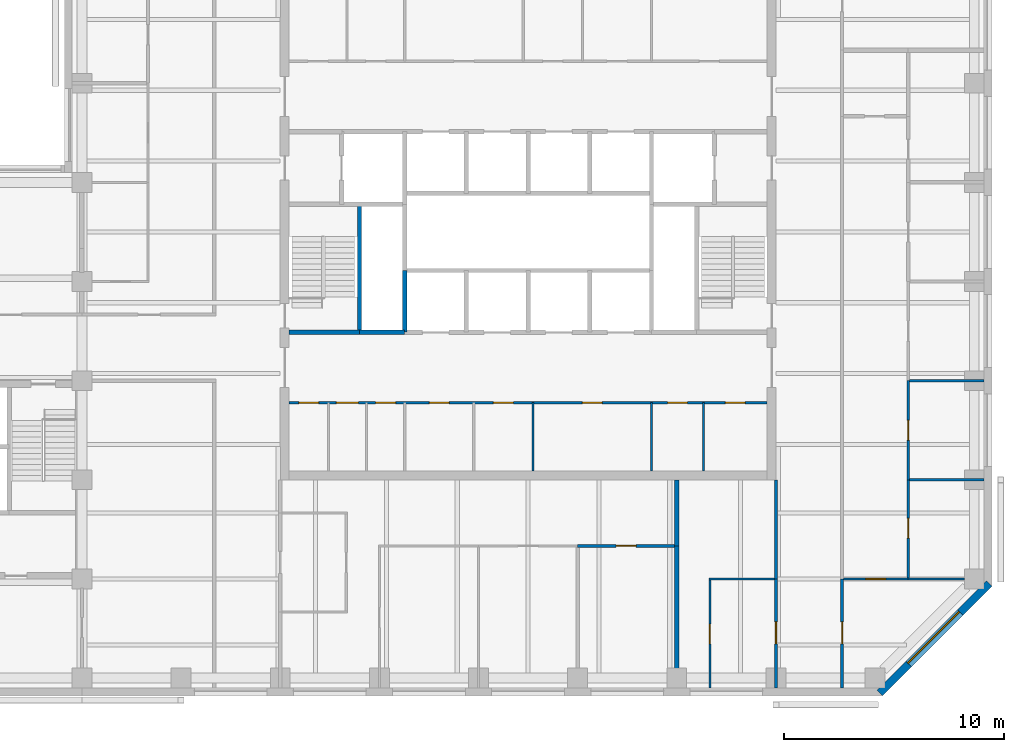
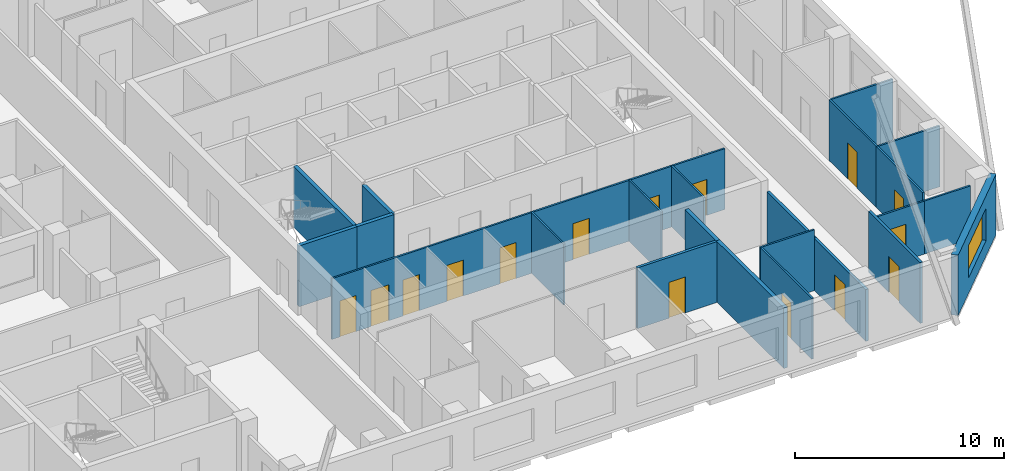
# One storey, part 5 of 10: 23 walls, 15 doors, 1 window, 16 openings.
"""IFC4 building model written with IfcOpenShell, lengths in metres."""

import ifcopenshell
import ifcopenshell.guid

model = None  # the IFC model being written
_history = None  # IfcOwnerHistory: only IFC2X3 demands one
_inside = {}  # id of a spatial element -> (the spatial element, [elements in it])
_under = {}  # id of a project, library or spatial element -> (it, [spatial elements below it])
_declared = {}  # id of a project -> (the project, [libraries it declares])
_typed = {}  # id of a type object -> (the type object, [elements of that type])
_made_of = {}  # id of a material, layer set ... -> (it, [elements and type objects made of it])


def new_model(schema):
    """Start an empty IFC model of exactly this schema.

    Asked for "IFC4X3", IfcOpenShell would pick the latest addendum, in which some entities
    have other attributes; the version numbers below select the first issue.
    IFC2X3 requires an IfcOwnerHistory on every rooted entity: one is made here for all.
    """
    global model, _history
    if schema == "IFC4X3":
        model = ifcopenshell.file(schema_version=(4, 3, 0, 0))
    else:
        model = ifcopenshell.file(schema=schema)
    _inside.clear()
    _under.clear()
    _declared.clear()
    _typed.clear()
    _made_of.clear()
    _history = None
    if model.schema == "IFC2X3":
        org = make("IfcOrganization", Name="unknown")
        user = make(
            "IfcPersonAndOrganization",
            ThePerson=make("IfcPerson", FamilyName="unknown"),
            TheOrganization=org,
        )
        app = make(
            "IfcApplication",
            ApplicationDeveloper=org,
            Version="unknown",
            ApplicationFullName="unknown",
            ApplicationIdentifier="unknown",
        )
        _history = make(
            "IfcOwnerHistory",
            OwningUser=user,
            OwningApplication=app,
            ChangeAction="ADDED",
            CreationDate=0,
        )
    return model


def make(cls, **values):
    """One entity of the class cls with the attributes given. An attribute that is None is left unset."""
    return model.create_entity(
        cls, **{name: value for name, value in values.items() if value is not None}
    )


def rooted(cls, **values):
    """An entity with a GlobalId (a new one), such as an element, a storey or a relation."""
    return make(cls, GlobalId=ifcopenshell.guid.new(), OwnerHistory=_history, **values)


def si_unit(unit_type, name, prefix=None):
    """IfcSIUnit, for example si_unit("LENGTHUNIT", "METRE", prefix="MILLI")."""
    return make("IfcSIUnit", UnitType=unit_type, Prefix=prefix, Name=name)


def assignment(units):
    """IfcUnitAssignment: the units of a project."""
    return None if units is None else make("IfcUnitAssignment", Units=units)


def point(xyz):
    """IfcCartesianPoint."""
    return None if xyz is None else make("IfcCartesianPoint", Coordinates=xyz)


def direction(xyz):
    """IfcDirection."""
    return None if xyz is None else make("IfcDirection", DirectionRatios=xyz)


def frame(location, z_axis=None, x_axis=None):
    """IfcAxis2Placement3D, a coordinate frame: its origin and axes. An axis left out is left unset."""
    return make(
        "IfcAxis2Placement3D",
        Location=point(location),
        Axis=direction(z_axis),
        RefDirection=direction(x_axis),
    )


def frame_2d(location, x_axis=None):
    """IfcAxis2Placement2D, a coordinate frame in the plane: its origin and x axis."""
    return make(
        "IfcAxis2Placement2D", Location=point(location), RefDirection=direction(x_axis)
    )


def origin():
    """The frame at (0, 0, 0) with its axes left unset."""
    return frame((0.0, 0.0, 0.0))


def place(relative_to, where):
    """IfcLocalPlacement: puts the frame where relative to a parent placement (None: the world)."""
    return make(
        "IfcLocalPlacement", PlacementRelTo=relative_to, RelativePlacement=where
    )


def context(
    kind, dimensions, precision=None, world=None, true_north=None, identifier=None
):
    """IfcGeometricRepresentationContext, for example the 3D "Model" context."""
    return make(
        "IfcGeometricRepresentationContext",
        ContextIdentifier=identifier,
        ContextType=kind,
        CoordinateSpaceDimension=dimensions,
        Precision=precision,
        WorldCoordinateSystem=world,
        TrueNorth=true_north,
    )


def subcontext(parent, identifier, kind, view, scale=None):
    """IfcGeometricRepresentationSubContext, for example "Body" below "Model"."""
    return make(
        "IfcGeometricRepresentationSubContext",
        ContextIdentifier=identifier,
        ContextType=kind,
        ParentContext=parent,
        TargetScale=scale,
        TargetView=view,
    )


def project(units=None, contexts=None):
    """IfcProject with its units and contexts."""
    return rooted(
        "IfcProject",
        Name="project",
        RepresentationContexts=contexts,
        UnitsInContext=assignment(units),
    )


def spatial(cls, under=None, at=None, **own):
    """A site, building, storey or space (cls), placed at a placement, below another one or the project."""
    s = rooted(cls, ObjectPlacement=at, **own)
    if under is not None:
        _under.setdefault(under.id(), (under, []))[1].append(s)
    return s


def profile(cls, at=None, kind="AREA", **sizes):
    """A parametric profile (cls). Its sizes go by their IFC names, for example OverallWidth=200.0."""
    return make(cls, ProfileType=kind, Position=at, **sizes)


def rectangle(**sizes):
    """IfcRectangleProfileDef."""
    return profile("IfcRectangleProfileDef", **sizes)


def extrude(swept, where, along, depth):
    """IfcExtrudedAreaSolid: the profile swept, set in the frame where, extruded along a direction by depth."""
    return make(
        "IfcExtrudedAreaSolid",
        SweptArea=swept,
        Position=where,
        ExtrudedDirection=direction(along),
        Depth=depth,
    )


def shape(context_of_items, identifier, shape_type, items):
    """IfcShapeRepresentation: the items that make up one representation, for example the "Body"."""
    return make(
        "IfcShapeRepresentation",
        ContextOfItems=context_of_items,
        RepresentationIdentifier=identifier,
        RepresentationType=shape_type,
        Items=items,
    )


def material(Name=None, Category=None):
    """IfcMaterial."""
    return make("IfcMaterial", Name=Name, Category=Category)


def layer(
    of_material, thickness, ventilated=None, Name=None, Category=None, Priority=None
):
    """IfcMaterialLayer: one layer of a wall or slab, of a material (None: an air gap)."""
    return make(
        "IfcMaterialLayer",
        Material=of_material,
        LayerThickness=thickness,
        IsVentilated=ventilated,
        Name=Name,
        Category=Category,
        Priority=Priority,
    )


def layer_set(layers, Name=None):
    """IfcMaterialLayerSet."""
    return make("IfcMaterialLayerSet", MaterialLayers=layers, LayerSetName=Name)


def constituent(of_material, Name=None, Category=None, fraction=None):
    """IfcMaterialConstituent: one of the materials an element consists of."""
    return make(
        "IfcMaterialConstituent",
        Name=Name,
        Material=of_material,
        Fraction=fraction,
        Category=Category,
    )


def constituent_set(constituents=None, Name=None):
    """IfcMaterialConstituentSet."""
    return make(
        "IfcMaterialConstituentSet", Name=Name, MaterialConstituents=constituents
    )


def made_of(thing, what):
    """Note that an element or type object is made of a material, layer set ...; save() writes the relation."""
    if what is not None:
        _made_of.setdefault(what.id(), (what, []))[1].append(thing)
    return thing


def type_object(cls, material=None, **own):
    """A type object (cls), such as IfcWallType, which elements share."""
    return made_of(rooted(cls, **own), material)


def element(
    cls,
    number,
    at=None,
    inside=None,
    cuts=None,
    type_object=None,
    material=None,
    context=None,
    identifier="Body",
    shape_type=None,
    held_by="IfcProductDefinitionShape",
    body=None,
    shapes=None,
    **own,
):
    """One element of the class cls, such as IfcWall. Its Tag is "e" and its number.

    at: its placement. inside: the storey or other place that contains it. cuts: it is an
    opening in that element (IfcRelVoidsElement). A single representation is given by context,
    identifier, shape_type and body (its items); several are given by shapes. held_by: the class
    of the entity that holds the representations. save() writes the other relations.
    """
    e = rooted(cls, Tag="e%d" % number, ObjectPlacement=at, **own)
    if body is not None:
        shapes = [shape(context, identifier, shape_type, body)]
    if shapes is not None:
        e.Representation = make(held_by, Representations=shapes)
    if inside is not None:
        _inside.setdefault(inside.id(), (inside, []))[1].append(e)
    if cuts is not None:
        rooted(
            "IfcRelVoidsElement", RelatingBuildingElement=cuts, RelatedOpeningElement=e
        )
    if type_object is not None:
        _typed.setdefault(type_object.id(), (type_object, []))[1].append(e)
    return made_of(e, material)


def fill(opening, filler):
    """IfcRelFillsElement: the door or window that sits in an opening."""
    return rooted(
        "IfcRelFillsElement",
        RelatingOpeningElement=opening,
        RelatedBuildingElement=filler,
    )


def aggregate(whole, parts):
    """IfcRelAggregates: a whole, such as a stair, and the parts it consists of."""
    return rooted("IfcRelAggregates", RelatingObject=whole, RelatedObjects=parts)


def save(model, path):
    """Write the relations noted so far, then the file.

    IfcRelAggregates (storeys below a building ...), IfcRelContainedInSpatialStructure (elements
    in a storey), IfcRelDefinesByType, IfcRelAssociatesMaterial and IfcRelDeclares: one each for
    every whole, place, type object, material and project.
    """
    for whole, parts in _under.values():
        aggregate(whole, parts)
    for where, things in _inside.values():
        rooted(
            "IfcRelContainedInSpatialStructure",
            RelatedElements=things,
            RelatingStructure=where,
        )
    for kind, things in _typed.values():
        rooted("IfcRelDefinesByType", RelatedObjects=things, RelatingType=kind)
    for what, things in _made_of.values():
        rooted("IfcRelAssociatesMaterial", RelatedObjects=things, RelatingMaterial=what)
    for by, libraries in _declared.values():
        rooted("IfcRelDeclares", RelatingContext=by, RelatedDefinitions=libraries)
    model.write(path)


model = new_model("IFC4")

# Units and contexts
model_context = context("Model", 3, precision=1e-05, world=origin(), true_north=direction((0.0, 1.0)))
body_context = subcontext(model_context, "Body", "Model", "MODEL_VIEW")
ifc_project = project(units=[si_unit("LENGTHUNIT", "METRE"), si_unit("AREAUNIT", "SQUARE_METRE"), si_unit("VOLUMEUNIT", "CUBIC_METRE"), si_unit("PLANEANGLEUNIT", "RADIAN"), si_unit("MASSUNIT", "GRAM", prefix="KILO")], contexts=[model_context])

# Site, building, storey
site_placement = place(None, origin())
site = spatial("IfcSite", under=ifc_project, at=site_placement, CompositionType="ELEMENT")
building_placement = place(site_placement, origin())
building = spatial("IfcBuilding", under=site, at=building_placement, Name="Quoin Convention Tower", CompositionType="ELEMENT")
storey_placement = place(building_placement, frame((0.0, 0.0, 188.39990234375)))
storey = spatial("IfcBuildingStorey", under=building, at=storey_placement, Name="L49", CompositionType="ELEMENT", Elevation=188.39990234375)

# Wall, opening, door
ifc_material_1 = material(Name="Plasterboard")
ifc_layer_1 = layer(ifc_material_1, 0.012451171875, Name="Finish")
ifc_material_2 = material(Name="Steel stud framing", Category="steel")
ifc_layer_2 = layer(ifc_material_2, 0.125, Name="Structure")
ifc_layer_3 = layer(ifc_material_1, 0.012451171875, Name="Finish")
ifc_layer_set_1 = layer_set([ifc_layer_1, ifc_layer_2, ifc_layer_3], Name="Steel stud framing")
wall_type_1 = type_object("IfcWallType", Name="Acoustic partition 150", PredefinedType="PARTITIONING", material=ifc_layer_set_1)
wall_1_placement = place(storey_placement, frame((58.5, 46.5, 0.0), z_axis=(0.0, 0.0, 1.0), x_axis=(1.0, 0.0, 0.0)))
wall_1 = element("IfcWall", 1, at=wall_1_placement, inside=storey, type_object=wall_type_1, Name="pw-L49-010", PredefinedType="PARTITIONING", context=body_context, shape_type="SweptSolid", body=[
    extrude(rectangle(XDim=4.39990234375, YDim=0.14990234375, at=frame_2d((2.199951171875, 0.0))), origin(), (0.0, 0.0, 1.0), 3.550048828125),
])
opening_1_placement = place(wall_1_placement, frame((1.75, 0.0, 0.0)))
opening_1 = element("IfcOpeningElement", 2, at=opening_1_placement, cuts=wall_1, Name="Opening DOH6-03", PredefinedType="OPENING", context=body_context, shape_type="SweptSolid", body=[
    extrude(rectangle(XDim=0.89990234375, YDim=2.10009765625, at=frame_2d((0.449951171875, 1.050048828125))), frame((0.0, 0.0849609375, 0.0), z_axis=(0.0, -1.0, 0.0), x_axis=(1.0, 0.0, 0.0)), (0.0, 0.0, 1.0), 0.169921875),
])
ifc_material_3 = material(Name="Steel door leaf", Category="steel")
door_type_1 = type_object("IfcDoorType", Name="Office door 900 x 2100", OperationType="SINGLE_SWING_RIGHT", PredefinedType="DOOR", material=ifc_material_3)
door_1_placement = place(opening_1_placement, origin())
door_1 = element("IfcDoor", 3, at=door_1_placement, inside=storey, type_object=door_type_1, Name="dr-L49-20", OperationType="SINGLE_SWING_RIGHT", OverallHeight=2.10009765625, OverallWidth=0.89990234375, PredefinedType="DOOR", context=body_context, shape_type="SweptSolid", body=[
    extrude(rectangle(XDim=0.89990234375, YDim=2.10009765625, at=frame_2d((0.449951171875, 1.050048828125))), frame((0.0, 0.02490234375, 0.0), z_axis=(0.0, -1.0, 0.0), x_axis=(1.0, 0.0, 0.0)), (0.0, 0.0, 1.0), 0.050048828125),
])
fill(opening_1, door_1)

# Wall, opening, window
ifc_material_4 = material(Name="Brick masonry", Category="masonry")
ifc_layer_4 = layer(ifc_material_4, 0.35009765625)
ifc_layer_set_2 = layer_set([ifc_layer_4], Name="Brick masonry")
wall_type_2 = type_object("IfcWallType", Name="Brick facade wall", PredefinedType="STANDARD", material=ifc_layer_set_2)
wall_2_placement = place(storey_placement, frame((72.20751953125, 39.82373046875, 0.0), z_axis=(0.0, 0.0, 1.0), x_axis=(0.707106781187, 0.707106781187, 0.0)))
wall_2 = element("IfcWall", 4, at=wall_2_placement, inside=storey, type_object=wall_type_2, Name="fw-L49-72000_40500", PredefinedType="STANDARD", context=body_context, shape_type="SweptSolid", body=[
    extrude(rectangle(XDim=7.02685546875, YDim=0.35009765625, at=frame_2d((3.513427734375, 0.0))), origin(), (0.0, 0.0, 1.0), 3.525146484375),
])
opening_2_placement = place(wall_2_placement, frame((1.86328125, 0.0, 0.89990234375)))
opening_2 = element("IfcOpeningElement", 5, at=opening_2_placement, cuts=wall_2, Name="Opening W-02", PredefinedType="OPENING", context=body_context, shape_type="SweptSolid", body=[
    extrude(rectangle(XDim=3.300048828125, YDim=1.89990234375, at=frame_2d((1.64990234375, 0.949951171875))), frame((0.0, 0.18505859375, 0.0), z_axis=(0.0, -1.0, 0.0), x_axis=(1.0, 0.0, 0.0)), (0.0, 0.0, 1.0), 0.3701171875),
])
ifc_material_5 = material(Name="Aluminium", Category="aluminium")
ifc_constituent_1 = constituent(ifc_material_5, Name="Frame")
ifc_material_6 = material(Name="Insulated glass", Category="glass")
ifc_constituent_2 = constituent(ifc_material_6, Name="Glazing")
ifc_constituent_set = constituent_set(constituents=[ifc_constituent_1, ifc_constituent_2], Name="Aluminium")
window_type = type_object("IfcWindowType", Name="Office window", PartitioningType="DOUBLE_PANEL_VERTICAL", PredefinedType="WINDOW", material=ifc_constituent_set)
window_placement = place(opening_2_placement, origin())
window = element("IfcWindow", 6, at=window_placement, inside=storey, type_object=window_type, Name="win-L49-74692_42308", OverallHeight=1.89990234375, OverallWidth=3.300048828125, PartitioningType="SINGLE_PANEL", PredefinedType="WINDOW", context=body_context, shape_type="SweptSolid", body=[
    extrude(rectangle(XDim=3.300048828125, YDim=1.89990234375, at=frame_2d((1.64990234375, 0.949951171875))), frame((0.0, 0.0849609375, 0.0), z_axis=(0.0, -1.0, 0.0), x_axis=(1.0, 0.0, 0.0)), (0.0, 0.0, 1.0), 0.06005859375),
])
fill(opening_2, window)

# Wall, openings, doors
ifc_layer_5 = layer(ifc_material_1, 0.012451171875, Name="Finish")
ifc_layer_6 = layer(ifc_material_2, 0.074951171875, Name="Structure")
ifc_layer_7 = layer(ifc_material_1, 0.012451171875, Name="Finish")
ifc_layer_set_3 = layer_set([ifc_layer_5, ifc_layer_6, ifc_layer_7], Name="Steel stud framing")
wall_type_3 = type_object("IfcWallType", Name="Core partition wall", PredefinedType="PARTITIONING", material=ifc_layer_set_3)
wall_3_placement = place(storey_placement, frame((45.39990234375, 53.0, 0.0), z_axis=(0.0, 0.0, 1.0), x_axis=(1.0, 0.0, 0.0)))
wall_3 = element("IfcWall", 7, at=wall_3_placement, inside=storey, type_object=wall_type_3, Name="cr-C1-L49-h3500_400", PredefinedType="PARTITIONING", context=body_context, shape_type="SweptSolid", body=[
    extrude(rectangle(XDim=21.7001953125, YDim=0.10009765625, at=frame_2d((10.85009765625, 0.0))), origin(), (0.0, 0.0, 1.0), 3.550048828125),
])
opening_3_placement = place(wall_3_placement, frame((19.806396484375, 0.0, 0.0)))
opening_3 = element("IfcOpeningElement", 8, at=opening_3_placement, cuts=wall_3, Name="Opening DCV5-40", PredefinedType="OPENING", context=body_context, shape_type="SweptSolid", body=[
    extrude(rectangle(XDim=0.89990234375, YDim=2.10009765625, at=frame_2d((0.449951171875, 1.050048828125))), frame((0.0, 0.06005859375, 0.0), z_axis=(0.0, -1.0, 0.0), x_axis=(1.0, 0.0, 0.0)), (0.0, 0.0, 1.0), 0.1201171875),
])
opening_4_placement = place(wall_3_placement, frame((17.181396484375, 0.0, 0.0)))
opening_4 = element("IfcOpeningElement", 9, at=opening_4_placement, cuts=wall_3, Name="Opening DCV5-39", PredefinedType="OPENING", context=body_context, shape_type="SweptSolid", body=[
    extrude(rectangle(XDim=0.89990234375, YDim=2.10009765625, at=frame_2d((0.449951171875, 1.050048828125))), frame((0.0, 0.06005859375, 0.0), z_axis=(0.0, -1.0, 0.0), x_axis=(1.0, 0.0, 0.0)), (0.0, 0.0, 1.0), 0.1201171875),
])
opening_5_placement = place(wall_3_placement, frame((0.4423828125, 0.0, 0.0)))
opening_5 = element("IfcOpeningElement", 10, at=opening_5_placement, cuts=wall_3, Name="Opening DCV5-31", PredefinedType="OPENING", context=body_context, shape_type="SweptSolid", body=[
    extrude(rectangle(XDim=0.89990234375, YDim=2.10009765625, at=frame_2d((0.449951171875, 1.050048828125))), frame((0.0, 0.06005859375, 0.0), z_axis=(0.0, -1.0, 0.0), x_axis=(1.0, 0.0, 0.0)), (0.0, 0.0, 1.0), 0.1201171875),
])
opening_6_placement = place(wall_3_placement, frame((2.1513671875, 0.0, 0.0)))
opening_6 = element("IfcOpeningElement", 11, at=opening_6_placement, cuts=wall_3, Name="Opening DCV5-32", PredefinedType="OPENING", context=body_context, shape_type="SweptSolid", body=[
    extrude(rectangle(XDim=1.0, YDim=2.10009765625, at=frame_2d((0.5, 1.050048828125))), frame((0.0, 0.06005859375, 0.0), z_axis=(0.0, -1.0, 0.0), x_axis=(1.0, 0.0, 0.0)), (0.0, 0.0, 1.0), 0.1201171875),
])
opening_7_placement = place(wall_3_placement, frame((3.93359375, 0.0, 0.0)))
opening_7 = element("IfcOpeningElement", 12, at=opening_7_placement, cuts=wall_3, Name="Opening DCV5-33", PredefinedType="OPENING", context=body_context, shape_type="SweptSolid", body=[
    extrude(rectangle(XDim=0.89990234375, YDim=2.10009765625, at=frame_2d((0.449951171875, 1.050048828125))), frame((0.0, 0.06005859375, 0.0), z_axis=(0.0, -1.0, 0.0), x_axis=(1.0, 0.0, 0.0)), (0.0, 0.0, 1.0), 0.1201171875),
])
opening_8_placement = place(wall_3_placement, frame((6.367919921875, 0.0, 0.0)))
opening_8 = element("IfcOpeningElement", 13, at=opening_8_placement, cuts=wall_3, Name="Opening DCV5-34", PredefinedType="OPENING", context=body_context, shape_type="SweptSolid", body=[
    extrude(rectangle(XDim=0.89990234375, YDim=2.10009765625, at=frame_2d((0.449951171875, 1.050048828125))), frame((0.0, 0.06005859375, 0.0), z_axis=(0.0, -1.0, 0.0), x_axis=(1.0, 0.0, 0.0)), (0.0, 0.0, 1.0), 0.1201171875),
])
opening_9_placement = place(wall_3_placement, frame((9.280029296875, 0.0, 0.0)))
opening_9 = element("IfcOpeningElement", 14, at=opening_9_placement, cuts=wall_3, Name="Opening DCV5-36", PredefinedType="OPENING", context=body_context, shape_type="SweptSolid", body=[
    extrude(rectangle(XDim=0.89990234375, YDim=2.10009765625, at=frame_2d((0.449951171875, 1.050048828125))), frame((0.0, 0.06005859375, 0.0), z_axis=(0.0, -1.0, 0.0), x_axis=(1.0, 0.0, 0.0)), (0.0, 0.0, 1.0), 0.1201171875),
])
opening_10_placement = place(wall_3_placement, frame((13.31201171875, 0.0, 0.0)))
opening_10 = element("IfcOpeningElement", 15, at=opening_10_placement, cuts=wall_3, Name="Opening DCV5-38", PredefinedType="OPENING", context=body_context, shape_type="SweptSolid", body=[
    extrude(rectangle(XDim=0.89990234375, YDim=2.10009765625, at=frame_2d((0.449951171875, 1.050048828125))), frame((0.0, 0.06005859375, 0.0), z_axis=(0.0, -1.0, 0.0), x_axis=(1.0, 0.0, 0.0)), (0.0, 0.0, 1.0), 0.1201171875),
])
door_type_2 = type_object("IfcDoorType", Name="Core room door 1000 x 2100", OperationType="SINGLE_SWING_LEFT", PredefinedType="DOOR", material=ifc_material_3)
door_2_placement = place(opening_6_placement, frame((1.0, 0.0, 0.0), z_axis=(0.0, 0.0, 1.0), x_axis=(-1.0, 0.0, 0.0)))
door_2 = element("IfcDoor", 16, at=door_2_placement, inside=storey, type_object=door_type_2, Name="cd-C1-L49-CSW1-lobA-CD4913", OperationType="SINGLE_SWING_LEFT", OverallHeight=2.10009765625, OverallWidth=1.0, PredefinedType="DOOR", context=body_context, shape_type="SweptSolid", body=[
    extrude(rectangle(XDim=1.0, YDim=2.10009765625, at=frame_2d((0.5, 1.050048828125))), frame((0.0, 0.02490234375, 0.0), z_axis=(0.0, -1.0, 0.0), x_axis=(1.0, 0.0, 0.0)), (0.0, 0.0, 1.0), 0.050048828125),
])
fill(opening_6, door_2)
door_type_3 = type_object("IfcDoorType", Name="Core room door 900 x 2100", OperationType="SINGLE_SWING_LEFT", PredefinedType="DOOR", material=ifc_material_3)
door_3_placement = place(opening_3_placement, frame((0.89990234375, 0.0, 0.0), z_axis=(0.0, 0.0, 1.0), x_axis=(-1.0, 0.0, 0.0)))
door_3 = element("IfcDoor", 17, at=door_3_placement, inside=storey, type_object=door_type_3, Name="cd-C1-L49-CSE0-lobA-CD4910", OperationType="SINGLE_SWING_LEFT", OverallHeight=2.10009765625, OverallWidth=0.89990234375, PredefinedType="DOOR", context=body_context, shape_type="SweptSolid", body=[
    extrude(rectangle(XDim=0.89990234375, YDim=2.10009765625, at=frame_2d((0.449951171875, 1.050048828125))), frame((0.0, 0.02490234375, 0.0), z_axis=(0.0, -1.0, 0.0), x_axis=(1.0, 0.0, 0.0)), (0.0, 0.0, 1.0), 0.050048828125),
])
fill(opening_3, door_3)
door_4_placement = place(opening_4_placement, frame((0.89990234375, 0.0, 0.0), z_axis=(0.0, 0.0, 1.0), x_axis=(-1.0, 0.0, 0.0)))
door_4 = element("IfcDoor", 18, at=door_4_placement, inside=storey, type_object=door_type_3, Name="cd-C1-L49-CSE1-lobA-CD4911", OperationType="SINGLE_SWING_LEFT", OverallHeight=2.10009765625, OverallWidth=0.89990234375, PredefinedType="DOOR", context=body_context, shape_type="SweptSolid", body=[
    extrude(rectangle(XDim=0.89990234375, YDim=2.10009765625, at=frame_2d((0.449951171875, 1.050048828125))), frame((0.0, 0.02490234375, 0.0), z_axis=(0.0, -1.0, 0.0), x_axis=(1.0, 0.0, 0.0)), (0.0, 0.0, 1.0), 0.050048828125),
])
fill(opening_4, door_4)
door_5_placement = place(opening_5_placement, frame((0.89990234375, 0.0, 0.0), z_axis=(0.0, 0.0, 1.0), x_axis=(-1.0, 0.0, 0.0)))
door_5 = element("IfcDoor", 19, at=door_5_placement, inside=storey, type_object=door_type_3, Name="cd-C1-L49-CSW0-lobA-CD4912", OperationType="SINGLE_SWING_LEFT", OverallHeight=2.10009765625, OverallWidth=0.89990234375, PredefinedType="DOOR", context=body_context, shape_type="SweptSolid", body=[
    extrude(rectangle(XDim=0.89990234375, YDim=2.10009765625, at=frame_2d((0.449951171875, 1.050048828125))), frame((0.0, 0.02490234375, 0.0), z_axis=(0.0, -1.0, 0.0), x_axis=(1.0, 0.0, 0.0)), (0.0, 0.0, 1.0), 0.050048828125),
])
fill(opening_5, door_5)
door_6_placement = place(opening_7_placement, frame((0.89990234375, 0.0, 0.0), z_axis=(0.0, 0.0, 1.0), x_axis=(-1.0, 0.0, 0.0)))
door_6 = element("IfcDoor", 20, at=door_6_placement, inside=storey, type_object=door_type_3, Name="cd-C1-L49-CSW2-lobA-CD4914", OperationType="SINGLE_SWING_LEFT", OverallHeight=2.10009765625, OverallWidth=0.89990234375, PredefinedType="DOOR", context=body_context, shape_type="SweptSolid", body=[
    extrude(rectangle(XDim=0.89990234375, YDim=2.10009765625, at=frame_2d((0.449951171875, 1.050048828125))), frame((0.0, 0.02490234375, 0.0), z_axis=(0.0, -1.0, 0.0), x_axis=(1.0, 0.0, 0.0)), (0.0, 0.0, 1.0), 0.050048828125),
])
fill(opening_7, door_6)
door_7_placement = place(opening_8_placement, frame((0.89990234375, 0.0, 0.0), z_axis=(0.0, 0.0, 1.0), x_axis=(-1.0, 0.0, 0.0)))
door_7 = element("IfcDoor", 21, at=door_7_placement, inside=storey, type_object=door_type_3, Name="cd-C1-L49-F10-lobA-CD4915", OperationType="SINGLE_SWING_LEFT", OverallHeight=2.10009765625, OverallWidth=0.89990234375, PredefinedType="DOOR", context=body_context, shape_type="SweptSolid", body=[
    extrude(rectangle(XDim=0.89990234375, YDim=2.10009765625, at=frame_2d((0.449951171875, 1.050048828125))), frame((0.0, 0.02490234375, 0.0), z_axis=(0.0, -1.0, 0.0), x_axis=(1.0, 0.0, 0.0)), (0.0, 0.0, 1.0), 0.050048828125),
])
fill(opening_8, door_7)
door_8_placement = place(opening_9_placement, frame((0.89990234375, 0.0, 0.0), z_axis=(0.0, 0.0, 1.0), x_axis=(-1.0, 0.0, 0.0)))
door_8 = element("IfcDoor", 22, at=door_8_placement, inside=storey, type_object=door_type_3, Name="cd-C1-L49-F11-lobA-CD4916", OperationType="SINGLE_SWING_LEFT", OverallHeight=2.10009765625, OverallWidth=0.89990234375, PredefinedType="DOOR", context=body_context, shape_type="SweptSolid", body=[
    extrude(rectangle(XDim=0.89990234375, YDim=2.10009765625, at=frame_2d((0.449951171875, 1.050048828125))), frame((0.0, 0.02490234375, 0.0), z_axis=(0.0, -1.0, 0.0), x_axis=(1.0, 0.0, 0.0)), (0.0, 0.0, 1.0), 0.050048828125),
])
fill(opening_9, door_8)
door_9_placement = place(opening_10_placement, frame((0.89990234375, 0.0, 0.0), z_axis=(0.0, 0.0, 1.0), x_axis=(-1.0, 0.0, 0.0)))
door_9 = element("IfcDoor", 23, at=door_9_placement, inside=storey, type_object=door_type_3, Name="cd-C1-L49-F12-lobA-CD4917", OperationType="SINGLE_SWING_LEFT", OverallHeight=2.10009765625, OverallWidth=0.89990234375, PredefinedType="DOOR", context=body_context, shape_type="SweptSolid", body=[
    extrude(rectangle(XDim=0.89990234375, YDim=2.10009765625, at=frame_2d((0.449951171875, 1.050048828125))), frame((0.0, 0.02490234375, 0.0), z_axis=(0.0, -1.0, 0.0), x_axis=(1.0, 0.0, 0.0)), (0.0, 0.0, 1.0), 0.050048828125),
])
fill(opening_10, door_9)

# Walls
for number, where, z_axis, x_axis, name in (
    (24, (56.47412109375, 49.89990234375, 0.0), (0.0, 0.0, 1.0), (0.0, 1.0, 0.0), "cr-C1-L49-v11474_400"),
    (25, (61.85009765625, 49.89990234375, 0.0), (0.0, 0.0, 1.0), (0.0, 1.0, 0.0), "cr-C1-L49-v16850_400"),
    (26, (64.21240234375, 49.89990234375, 0.0), (0.0, 0.0, 1.0), (0.0, 1.0, 0.0), "cr-C1-L49-v19212_400"),
):
    element("IfcWall", number, at=place(storey_placement, frame(where, z_axis=z_axis, x_axis=x_axis)), inside=storey, type_object=wall_type_3, Name=name, PredefinedType="PARTITIONING", context=body_context, shape_type="SweptSolid", body=[
        extrude(rectangle(XDim=3.10009765625, YDim=0.10009765625, at=frame_2d((1.550048828125, 0.0))), origin(), (0.0, 0.0, 1.0), 3.550048828125),
    ])
ifc_material_7 = material(Name="Concrete C50", Category="concrete")
ifc_layer_8 = layer(ifc_material_7, 0.199951171875)
ifc_layer_set_4 = layer_set([ifc_layer_8], Name="Concrete C50")
wall_type_4 = type_object("IfcWallType", Name="Core shaft wall", PredefinedType="SOLIDWALL", material=ifc_layer_set_4)
wall_4_placement = place(storey_placement, frame((48.60009765625, 56.199951171875, 0.0), z_axis=(0.0, 0.0, 1.0), x_axis=(1.0, 0.0, 0.0)))
element("IfcWall", 27, at=wall_4_placement, inside=storey, type_object=wall_type_4, Name="cr-C1-L49-h6700_3600", PredefinedType="SOLIDWALL", context=body_context, shape_type="SweptSolid", body=[
    extrude(rectangle(XDim=2.0498046875, YDim=0.199951171875, at=frame_2d((1.02490234375, 0.0))), origin(), (0.0, 0.0, 1.0), 3.550048828125),
])
wall_5_placement = place(storey_placement, frame((45.39990234375, 56.199951171875, 0.0), z_axis=(0.0, 0.0, 1.0), x_axis=(1.0, 0.0, 0.0)))
element("IfcWall", 28, at=wall_5_placement, inside=storey, type_object=wall_type_4, Name="cr-C1-L49-h6700_400", PredefinedType="SOLIDWALL", context=body_context, shape_type="SweptSolid", body=[
    extrude(rectangle(XDim=3.2001953125, YDim=0.199951171875, at=frame_2d((1.60009765625, 0.0))), origin(), (0.0, 0.0, 1.0), 3.550048828125),
])
wall_6_placement = place(storey_placement, frame((48.60009765625, 56.199951171875, 0.0), z_axis=(0.0, 0.0, 1.0), x_axis=(0.0, 1.0, 0.0)))
element("IfcWall", 29, at=wall_6_placement, inside=storey, type_object=wall_type_4, Name="cr-C1-L49-v3600_6700", PredefinedType="SOLIDWALL", context=body_context, shape_type="SweptSolid", body=[
    extrude(rectangle(XDim=5.800048828125, YDim=0.199951171875, at=frame_2d((2.89990234375, 0.0))), origin(), (0.0, 0.0, 1.0), 3.550048828125),
])
wall_7_placement = place(storey_placement, frame((50.64990234375, 56.199951171875, 0.0), z_axis=(0.0, 0.0, 1.0), x_axis=(0.0, 1.0, 0.0)))
element("IfcWall", 30, at=wall_7_placement, inside=storey, type_object=wall_type_4, Name="cr-C1-L49-v5650_6700", PredefinedType="SOLIDWALL", context=body_context, shape_type="SweptSolid", body=[
    extrude(rectangle(XDim=2.800048828125, YDim=0.199951171875, at=frame_2d((1.39990234375, 0.0))), origin(), (0.0, 0.0, 1.0), 3.550048828125),
])

# Wall, opening, door
ifc_layer_9 = layer(ifc_material_1, 0.012451171875, Name="Finish")
ifc_layer_10 = layer(ifc_material_2, 0.125, Name="Structure")
ifc_layer_11 = layer(ifc_material_1, 0.012451171875, Name="Finish")
ifc_layer_set_5 = layer_set([ifc_layer_9, ifc_layer_10, ifc_layer_11], Name="Steel stud framing")
wall_type_5 = type_object("IfcWallType", Name="Corridor wall 150", PredefinedType="PARTITIONING", material=ifc_layer_set_5)
wall_8_placement = place(storey_placement, frame((70.5, 40.050048828125, 0.0), z_axis=(0.0, 0.0, 1.0), x_axis=(0.0, 1.0, 0.0)))
wall_8 = element("IfcWall", 31, at=wall_8_placement, inside=storey, type_object=wall_type_5, Name="pw-L49-053", PredefinedType="PARTITIONING", context=body_context, shape_type="SweptSolid", body=[
    extrude(rectangle(XDim=4.949951171875, YDim=0.14990234375, at=frame_2d((2.47509765625, 0.0))), origin(), (0.0, 0.0, 1.0), 3.550048828125),
])
opening_11_placement = place(wall_8_placement, frame((2.0, 0.0, 0.0)))
opening_11 = element("IfcOpeningElement", 32, at=opening_11_placement, cuts=wall_8, Name="Opening DOH6-18", PredefinedType="OPENING", context=body_context, shape_type="SweptSolid", body=[
    extrude(rectangle(XDim=1.0, YDim=2.10009765625, at=frame_2d((0.5, 1.050048828125))), frame((0.0, 0.0849609375, 0.0), z_axis=(0.0, -1.0, 0.0), x_axis=(1.0, 0.0, 0.0)), (0.0, 0.0, 1.0), 0.169921875),
])
door_type_4 = type_object("IfcDoorType", Name="Tenancy entrance door 1000 x 2100", OperationType="DOUBLE_DOOR_SINGLE_SWING", PredefinedType="DOOR", material=ifc_material_3)
door_10_placement = place(opening_11_placement, frame((1.0, 0.0, 0.0), z_axis=(0.0, 0.0, 1.0), x_axis=(-1.0, 0.0, 0.0)))
door_10 = element("IfcDoor", 33, at=door_10_placement, inside=storey, type_object=door_type_4, Name="dr-L49-31", OperationType="DOUBLE_DOOR_SINGLE_SWING", OverallHeight=2.10009765625, OverallWidth=1.0, PredefinedType="DOOR", context=body_context, shape_type="SweptSolid", body=[
    extrude(rectangle(XDim=1.0, YDim=2.10009765625, at=frame_2d((0.5, 1.050048828125))), frame((0.0, 0.02490234375, 0.0), z_axis=(0.0, -1.0, 0.0), x_axis=(1.0, 0.0, 0.0)), (0.0, 0.0, 1.0), 0.050048828125),
])
fill(opening_11, door_10)

ifc_layer_12 = layer(ifc_material_1, 0.012451171875, Name="Finish")
ifc_layer_13 = layer(ifc_material_2, 0.125, Name="Structure")
ifc_layer_14 = layer(ifc_material_1, 0.012451171875, Name="Finish")
ifc_layer_set_6 = layer_set([ifc_layer_12, ifc_layer_13, ifc_layer_14], Name="Steel stud framing")
wall_type_6 = type_object("IfcWallType", Name="Corridor wall 150 under beam 528", PredefinedType="PARTITIONING", material=ifc_layer_set_6)
wall_9_placement = place(storey_placement, frame((67.5, 40.050048828125, 0.0), z_axis=(0.0, 0.0, 1.0), x_axis=(0.0, 1.0, 0.0)))
wall_9 = element("IfcWall", 34, at=wall_9_placement, inside=storey, type_object=wall_type_6, Name="pw-L49-052", PredefinedType="PARTITIONING", context=body_context, shape_type="SweptSolid", body=[
    extrude(rectangle(XDim=4.949951171875, YDim=0.14990234375, at=frame_2d((2.47509765625, 0.0))), origin(), (0.0, 0.0, 1.0), 3.022216796875),
])
opening_12_placement = place(wall_9_placement, frame((2.0, 0.0, 0.0)))
opening_12 = element("IfcOpeningElement", 35, at=opening_12_placement, cuts=wall_9, Name="Opening DOH6-17", PredefinedType="OPENING", context=body_context, shape_type="SweptSolid", body=[
    extrude(rectangle(XDim=1.0, YDim=2.10009765625, at=frame_2d((0.5, 1.050048828125))), frame((0.0, 0.0849609375, 0.0), z_axis=(0.0, -1.0, 0.0), x_axis=(1.0, 0.0, 0.0)), (0.0, 0.0, 1.0), 0.169921875),
])
door_11_placement = place(opening_12_placement, origin())
door_11 = element("IfcDoor", 36, at=door_11_placement, inside=storey, type_object=door_type_4, Name="dr-L49-21", OperationType="DOUBLE_DOOR_SINGLE_SWING", OverallHeight=2.10009765625, OverallWidth=1.0, PredefinedType="DOOR", context=body_context, shape_type="SweptSolid", body=[
    extrude(rectangle(XDim=1.0, YDim=2.10009765625, at=frame_2d((0.5, 1.050048828125))), frame((0.0, 0.02490234375, 0.0), z_axis=(0.0, -1.0, 0.0), x_axis=(1.0, 0.0, 0.0)), (0.0, 0.0, 1.0), 0.050048828125),
])
fill(opening_12, door_11)

# Walls
wall_10_placement = place(storey_placement, frame((67.5, 45.0, 0.0), z_axis=(0.0, 0.0, 1.0), x_axis=(0.0, 1.0, 0.0)))
element("IfcWall", 37, at=wall_10_placement, inside=storey, type_object=wall_type_6, Name="pw-L49-058", PredefinedType="PARTITIONING", context=body_context, shape_type="SweptSolid", body=[
    extrude(rectangle(XDim=4.5, YDim=0.14990234375, at=frame_2d((2.25, 0.0))), origin(), (0.0, 0.0, 1.0), 3.022216796875),
])
ifc_layer_15 = layer(ifc_material_1, 0.012451171875, Name="Finish")
ifc_layer_16 = layer(ifc_material_2, 0.074951171875, Name="Structure")
ifc_layer_17 = layer(ifc_material_1, 0.012451171875, Name="Finish")
ifc_layer_set_7 = layer_set([ifc_layer_15, ifc_layer_16, ifc_layer_17], Name="Steel stud framing")
wall_type_7 = type_object("IfcWallType", Name="Stud partition 100", PredefinedType="PARTITIONING", material=ifc_layer_set_7)
wall_11_placement = place(storey_placement, frame((64.449951171875, 45.0, 0.0), z_axis=(0.0, 0.0, 1.0), x_axis=(1.0, 0.0, 0.0)))
element("IfcWall", 38, at=wall_11_placement, inside=storey, type_object=wall_type_7, Name="pw-L49-004", PredefinedType="PARTITIONING", context=body_context, shape_type="SweptSolid", body=[
    extrude(rectangle(XDim=2.97509765625, YDim=0.10009765625, at=frame_2d((1.487548828125, 0.0))), origin(), (0.0, 0.0, 1.0), 3.550048828125),
])
for number, where, z_axis, x_axis, name in (
    (39, (73.550048828125, 49.5, 0.0), (0.0, 0.0, 1.0), (1.0, 0.0, 0.0), "pw-L49-013"),
    (40, (73.550048828125, 54.0, 0.0), (0.0, 0.0, 1.0), (1.0, 0.0, 0.0), "pw-L49-017"),
):
    element("IfcWall", number, at=place(storey_placement, frame(where, z_axis=z_axis, x_axis=x_axis)), inside=storey, type_object=wall_type_7, Name=name, PredefinedType="PARTITIONING", context=body_context, shape_type="SweptSolid", body=[
        extrude(rectangle(XDim=3.39990234375, YDim=0.10009765625, at=frame_2d((1.699951171875, 0.0))), origin(), (0.0, 0.0, 1.0), 3.550048828125),
    ])

# Wall, opening, door
wall_12_placement = place(storey_placement, frame((64.5, 40.050048828125, 0.0), z_axis=(0.0, 0.0, 1.0), x_axis=(0.0, 1.0, 0.0)))
wall_12 = element("IfcWall", 41, at=wall_12_placement, inside=storey, type_object=wall_type_7, Name="pw-L49-051", PredefinedType="PARTITIONING", context=body_context, shape_type="SweptSolid", body=[
    extrude(rectangle(XDim=4.89990234375, YDim=0.10009765625, at=frame_2d((2.449951171875, 0.0))), origin(), (0.0, 0.0, 1.0), 3.550048828125),
])
opening_13_placement = place(wall_12_placement, frame((2.0, 0.0, 0.0)))
opening_13 = element("IfcOpeningElement", 42, at=opening_13_placement, cuts=wall_12, Name="Opening DOH6-16", PredefinedType="OPENING", context=body_context, shape_type="SweptSolid", body=[
    extrude(rectangle(XDim=0.89990234375, YDim=2.10009765625, at=frame_2d((0.449951171875, 1.050048828125))), frame((0.0, 0.06005859375, 0.0), z_axis=(0.0, -1.0, 0.0), x_axis=(1.0, 0.0, 0.0)), (0.0, 0.0, 1.0), 0.1201171875),
])
door_12_placement = place(opening_13_placement, origin())
door_12 = element("IfcDoor", 43, at=door_12_placement, inside=storey, type_object=door_type_1, Name="dr-L49-22", OperationType="SINGLE_SWING_RIGHT", OverallHeight=2.10009765625, OverallWidth=0.89990234375, PredefinedType="DOOR", context=body_context, shape_type="SweptSolid", body=[
    extrude(rectangle(XDim=0.89990234375, YDim=2.10009765625, at=frame_2d((0.449951171875, 1.050048828125))), frame((0.0, 0.02490234375, 0.0), z_axis=(0.0, -1.0, 0.0), x_axis=(1.0, 0.0, 0.0)), (0.0, 0.0, 1.0), 0.050048828125),
])
fill(opening_13, door_12)

wall_13_placement = place(storey_placement, frame((73.5, 45.050048828125, 0.0), z_axis=(0.0, 0.0, 1.0), x_axis=(0.0, 1.0, 0.0)))
wall_13 = element("IfcWall", 44, at=wall_13_placement, inside=storey, type_object=wall_type_7, Name="pw-L49-061", PredefinedType="PARTITIONING", context=body_context, shape_type="SweptSolid", body=[
    extrude(rectangle(XDim=4.449951171875, YDim=0.10009765625, at=frame_2d((2.22509765625, 0.0))), origin(), (0.0, 0.0, 1.0), 3.550048828125),
])
opening_14_placement = place(wall_13_placement, frame((1.800048828125, 0.0, 0.0)))
opening_14 = element("IfcOpeningElement", 45, at=opening_14_placement, cuts=wall_13, Name="Opening DOH6-22", PredefinedType="OPENING", context=body_context, shape_type="SweptSolid", body=[
    extrude(rectangle(XDim=0.89990234375, YDim=2.10009765625, at=frame_2d((0.449951171875, 1.050048828125))), frame((0.0, 0.06005859375, 0.0), z_axis=(0.0, -1.0, 0.0), x_axis=(1.0, 0.0, 0.0)), (0.0, 0.0, 1.0), 0.1201171875),
])
door_13_placement = place(opening_14_placement, origin())
door_13 = element("IfcDoor", 46, at=door_13_placement, inside=storey, type_object=door_type_1, Name="dr-L49-33", OperationType="SINGLE_SWING_RIGHT", OverallHeight=2.10009765625, OverallWidth=0.89990234375, PredefinedType="DOOR", context=body_context, shape_type="SweptSolid", body=[
    extrude(rectangle(XDim=0.89990234375, YDim=2.10009765625, at=frame_2d((0.449951171875, 1.050048828125))), frame((0.0, 0.02490234375, 0.0), z_axis=(0.0, -1.0, 0.0), x_axis=(1.0, 0.0, 0.0)), (0.0, 0.0, 1.0), 0.050048828125),
])
fill(opening_14, door_13)

wall_14_placement = place(storey_placement, frame((73.5, 49.5, 0.0), z_axis=(0.0, 0.0, 1.0), x_axis=(0.0, 1.0, 0.0)))
wall_14 = element("IfcWall", 47, at=wall_14_placement, inside=storey, type_object=wall_type_7, Name="pw-L49-067", PredefinedType="PARTITIONING", context=body_context, shape_type="SweptSolid", body=[
    extrude(rectangle(XDim=4.5, YDim=0.10009765625, at=frame_2d((2.25, 0.0))), origin(), (0.0, 0.0, 1.0), 3.550048828125),
])
opening_15_placement = place(wall_14_placement, frame((1.800048828125, 0.0, 0.0)))
opening_15 = element("IfcOpeningElement", 48, at=opening_15_placement, cuts=wall_14, Name="Opening DOH6-23", PredefinedType="OPENING", context=body_context, shape_type="SweptSolid", body=[
    extrude(rectangle(XDim=0.89990234375, YDim=2.10009765625, at=frame_2d((0.449951171875, 1.050048828125))), frame((0.0, 0.06005859375, 0.0), z_axis=(0.0, -1.0, 0.0), x_axis=(1.0, 0.0, 0.0)), (0.0, 0.0, 1.0), 0.1201171875),
])
door_14_placement = place(opening_15_placement, origin())
door_14 = element("IfcDoor", 49, at=door_14_placement, inside=storey, type_object=door_type_1, Name="dr-L49-34", OperationType="SINGLE_SWING_RIGHT", OverallHeight=2.10009765625, OverallWidth=0.89990234375, PredefinedType="DOOR", context=body_context, shape_type="SweptSolid", body=[
    extrude(rectangle(XDim=0.89990234375, YDim=2.10009765625, at=frame_2d((0.449951171875, 1.050048828125))), frame((0.0, 0.02490234375, 0.0), z_axis=(0.0, -1.0, 0.0), x_axis=(1.0, 0.0, 0.0)), (0.0, 0.0, 1.0), 0.050048828125),
])
fill(opening_15, door_14)

ifc_layer_18 = layer(ifc_material_1, 0.012451171875, Name="Finish")
ifc_layer_19 = layer(ifc_material_2, 0.074951171875, Name="Structure")
ifc_layer_20 = layer(ifc_material_1, 0.012451171875, Name="Finish")
ifc_layer_set_8 = layer_set([ifc_layer_18, ifc_layer_19, ifc_layer_20], Name="Steel stud framing")
wall_type_8 = type_object("IfcWallType", Name="Stud partition 100 under beam 454", PredefinedType="PARTITIONING", material=ifc_layer_set_8)
wall_15_placement = place(storey_placement, frame((70.574951171875, 45.0, 0.0), z_axis=(0.0, 0.0, 1.0), x_axis=(1.0, 0.0, 0.0)))
wall_15 = element("IfcWall", 50, at=wall_15_placement, inside=storey, type_object=wall_type_8, Name="pw-L49-005", PredefinedType="PARTITIONING", context=body_context, shape_type="SweptSolid", body=[
    extrude(rectangle(XDim=2.925048828125, YDim=0.10009765625, at=frame_2d((1.46240234375, 0.0))), origin(), (0.0, 0.0, 1.0), 3.09619140625),
])
opening_16_placement = place(wall_15_placement, frame((1.0, 0.0, 0.0)))
opening_16 = element("IfcOpeningElement", 51, at=opening_16_placement, cuts=wall_15, Name="Opening DOH6-01", PredefinedType="OPENING", context=body_context, shape_type="SweptSolid", body=[
    extrude(rectangle(XDim=0.89990234375, YDim=2.10009765625, at=frame_2d((0.449951171875, 1.050048828125))), frame((0.0, 0.06005859375, 0.0), z_axis=(0.0, -1.0, 0.0), x_axis=(1.0, 0.0, 0.0)), (0.0, 0.0, 1.0), 0.1201171875),
])
door_15_placement = place(opening_16_placement, origin())
door_15 = element("IfcDoor", 52, at=door_15_placement, inside=storey, type_object=door_type_1, Name="dr-L49-32", OperationType="SINGLE_SWING_RIGHT", OverallHeight=2.10009765625, OverallWidth=0.89990234375, PredefinedType="DOOR", context=body_context, shape_type="SweptSolid", body=[
    extrude(rectangle(XDim=0.89990234375, YDim=2.10009765625, at=frame_2d((0.449951171875, 1.050048828125))), frame((0.0, 0.02490234375, 0.0), z_axis=(0.0, -1.0, 0.0), x_axis=(1.0, 0.0, 0.0)), (0.0, 0.0, 1.0), 0.050048828125),
])
fill(opening_16, door_15)

# Walls
wall_16_placement = place(storey_placement, frame((73.5, 45.0, 0.0), z_axis=(0.0, 0.0, 1.0), x_axis=(1.0, 0.0, 0.0)))
element("IfcWall", 53, at=wall_16_placement, inside=storey, type_object=wall_type_8, Name="pw-L49-006", PredefinedType="PARTITIONING", context=body_context, shape_type="SweptSolid", body=[
    extrude(rectangle(XDim=2.550048828125, YDim=0.10009765625, at=frame_2d((1.27490234375, 0.0))), origin(), (0.0, 0.0, 1.0), 3.09619140625),
])
ifc_layer_21 = layer(ifc_material_1, 0.012451171875, Name="Finish")
ifc_layer_22 = layer(ifc_material_2, 0.175048828125, Name="Structure")
ifc_layer_23 = layer(ifc_material_1, 0.012451171875, Name="Finish")
ifc_layer_set_9 = layer_set([ifc_layer_21, ifc_layer_22, ifc_layer_23], Name="Steel stud framing")
wall_type_9 = type_object("IfcWallType", Name="Tenancy demising wall 200", PredefinedType="PARTITIONING", material=ifc_layer_set_9)
wall_17_placement = place(storey_placement, frame((63.0, 40.050048828125, 0.0), z_axis=(0.0, 0.0, 1.0), x_axis=(0.0, 1.0, 0.0)))
element("IfcWall", 54, at=wall_17_placement, inside=storey, type_object=wall_type_9, Name="pw-L49-050", PredefinedType="PARTITIONING", context=body_context, shape_type="SweptSolid", body=[
    extrude(rectangle(XDim=6.449951171875, YDim=0.199951171875, at=frame_2d((3.22509765625, 0.0))), origin(), (0.0, 0.0, 1.0), 3.550048828125),
])
wall_18_placement = place(storey_placement, frame((63.0, 46.5, 0.0), z_axis=(0.0, 0.0, 1.0), x_axis=(0.0, 1.0, 0.0)))
element("IfcWall", 55, at=wall_18_placement, inside=storey, type_object=wall_type_9, Name="pw-L49-063", PredefinedType="PARTITIONING", context=body_context, shape_type="SweptSolid", body=[
    extrude(rectangle(XDim=3.0, YDim=0.199951171875, at=frame_2d((1.5, 0.0))), origin(), (0.0, 0.0, 1.0), 3.550048828125),
])

save(model, "model.ifc")
